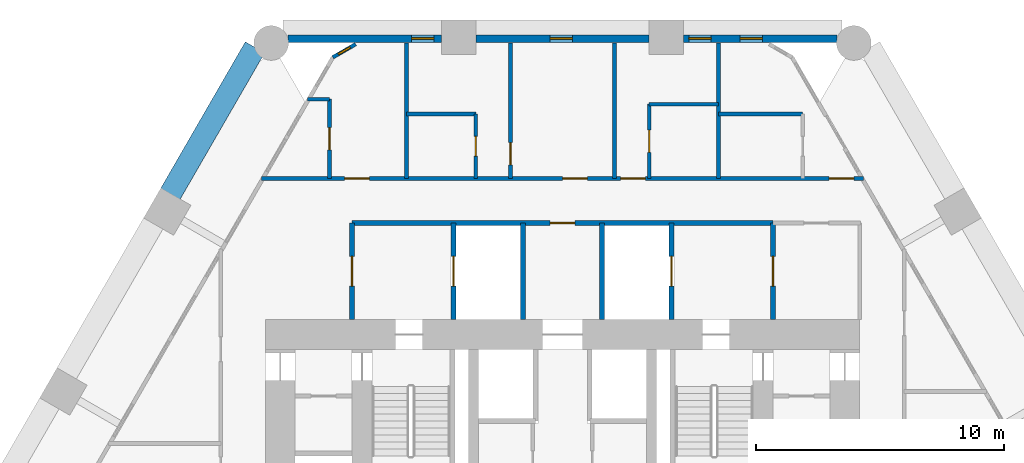
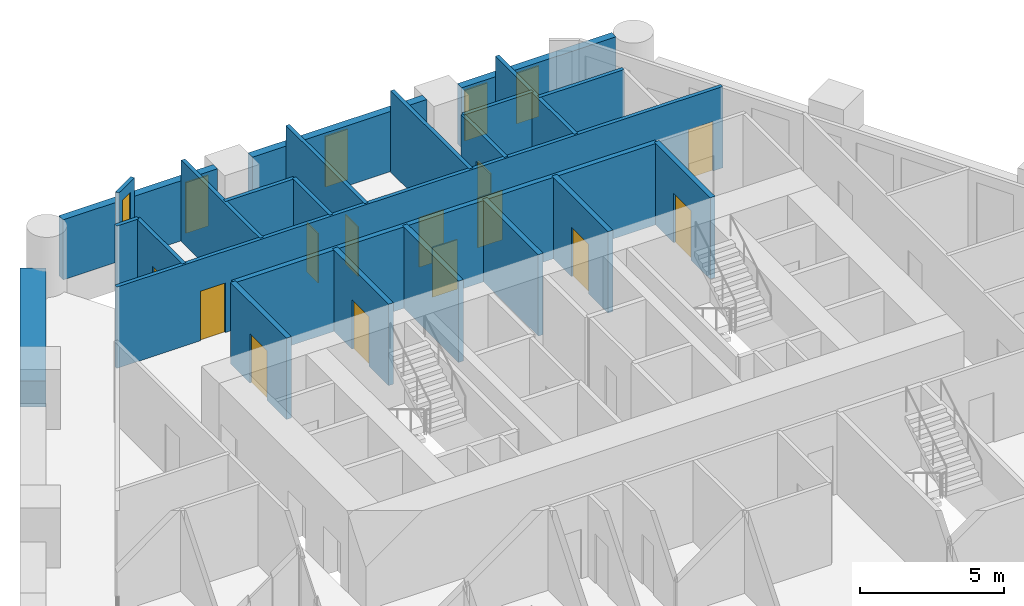
# One storey, part 6 of 8: 24 walls, 13 doors, 5 windows, 18 openings.
"""IFC4 building model written with IfcOpenShell, lengths in metres."""

from ifc_helpers import new_model, si_unit, direction, frame, frame_2d, origin, place, context, subcontext, project, spatial, rectangle, extrude, material, layer, layer_set, type_object, element, fill, save


model = new_model("IFC4")

# Units and contexts
model_context = context("Model", 3, precision=1e-05, world=origin(), true_north=direction((0.0, 1.0)))
body_context = subcontext(model_context, "Body", "Model", "MODEL_VIEW")
ifc_project = project(units=[si_unit("LENGTHUNIT", "METRE"), si_unit("AREAUNIT", "SQUARE_METRE"), si_unit("VOLUMEUNIT", "CUBIC_METRE"), si_unit("PLANEANGLEUNIT", "RADIAN"), si_unit("MASSUNIT", "GRAM", prefix="KILO")], contexts=[model_context])

# Site, building, storey
site_placement = place(None, origin())
site = spatial("IfcSite", under=ifc_project, at=site_placement, CompositionType="ELEMENT")
building_placement = place(site_placement, origin())
building = spatial("IfcBuilding", under=site, at=building_placement, Name="Ostrander Bayou Hotel Tower", CompositionType="ELEMENT")
storey_placement = place(building_placement, frame((0.0, 0.0, 39.25)))
storey = spatial("IfcBuildingStorey", under=building, at=storey_placement, Name="L09", CompositionType="ELEMENT", Elevation=39.25)

# Wall, opening, window
ifc_material_1 = material(Name="Aluminium framed insulated wall", Category="aluminium")
ifc_layer_1 = layer(ifc_material_1, 0.14990234375)
ifc_layer_set_1 = layer_set([ifc_layer_1], Name="GW1 glass-line wall 150 mm")
wall_type_1 = type_object("IfcWallType", Name="GW1 glass-line wall 150 mm", PredefinedType="SOLIDWALL", material=ifc_layer_set_1)
wall_1_placement = place(storey_placement, frame((-8.353759765625, 20.824951171875, 0.0), z_axis=(0.0, 0.0, 1.0), x_axis=(-0.865990848561, -0.500059846627, 0.0)))
wall_1 = element("IfcWall", 1, at=wall_1_placement, inside=storey, type_object=wall_type_1, Name="GW1 L09 corner 1", PredefinedType="SOLIDWALL", context=body_context, shape_type="SweptSolid", body=[
    extrude(rectangle(XDim=1.064697265625, YDim=0.14990234375, at=frame_2d((0.5322265625, 0.0))), origin(), (0.0, 0.0, 1.0), 3.449951171875),
])
opening_1_placement = place(wall_1_placement, frame((0.257568359375, 0.0, 0.14990234375)))
opening_1 = element("IfcOpeningElement", 2, at=opening_1_placement, cuts=wall_1, Name="Opening W19", PredefinedType="OPENING", context=body_context, shape_type="SweptSolid", body=[
    extrude(rectangle(XDim=0.550048828125, YDim=2.85009765625, at=frame_2d((0.27490234375, 1.425048828125))), frame((0.0, 0.074951171875, 0.0), z_axis=(0.0, -1.0, 0.0), x_axis=(1.0, 0.0, 0.0)), (0.0, 0.0, 1.0), 0.14990234375),
])
ifc_material_2 = material(Name="Aluminium and clear glass", Category="aluminium")
window_type_1 = type_object("IfcWindowType", Name="W19 corner window 550 mm", PartitioningType="SINGLE_PANEL", PredefinedType="WINDOW", material=ifc_material_2)
window_1_placement = place(opening_1_placement, origin())
window_1 = element("IfcWindow", 3, at=window_1_placement, inside=storey, type_object=window_type_1, Name="W19 L09 corner 1", OverallHeight=2.85009765625, OverallWidth=0.550048828125, PartitioningType="SINGLE_PANEL", PredefinedType="WINDOW", context=body_context, shape_type="SweptSolid", body=[
    extrude(rectangle(XDim=0.550048828125, YDim=2.85009765625, at=frame_2d((0.27490234375, 1.425048828125))), frame((0.0, 0.030029296875, 0.0), z_axis=(0.0, -1.0, 0.0), x_axis=(1.0, 0.0, 0.0)), (0.0, 0.0, 1.0), 0.06005859375),
])
fill(opening_1, window_1)

# Wall, openings, windows
ifc_material_3 = material(Name="Reconstituted stone on masonry backing", Category="masonry")
ifc_layer_2 = layer(ifc_material_3, 0.300048828125)
ifc_layer_set_2 = layer_set([ifc_layer_2], Name="NW1 north stone wall 300 mm")
wall_type_2 = type_object("IfcWallType", Name="NW1 north stone wall 300 mm", PredefinedType="SOLIDWALL", material=ifc_layer_set_2)
wall_2_placement = place(storey_placement, frame((11.093017578125, 21.050048828125, 0.0), z_axis=(0.0, 0.0, 1.0), x_axis=(-1.0, 0.0, 0.0)))
wall_2 = element("IfcWall", 4, at=wall_2_placement, inside=storey, type_object=wall_type_2, Name="NW1 L09 N-1", PredefinedType="SOLIDWALL", context=body_context, shape_type="SweptSolid", body=[
    extrude(rectangle(XDim=6.197509765625, YDim=0.300048828125, at=frame_2d((3.0986328125, 0.0))), origin(), (0.0, 0.0, 1.0), 2.550048828125),
])
opening_2_placement = place(wall_2_placement, frame((3.020263671875, 0.0, 0.14990234375)))
opening_2 = element("IfcOpeningElement", 5, at=opening_2_placement, cuts=wall_2, Name="Opening W15", PredefinedType="OPENING", context=body_context, shape_type="SweptSolid", body=[
    extrude(rectangle(XDim=0.89990234375, YDim=2.14990234375, at=frame_2d((0.449951171875, 1.074951171875))), frame((0.0, 0.14990234375, 0.0), z_axis=(0.0, -1.0, 0.0), x_axis=(1.0, 0.0, 0.0)), (0.0, 0.0, 1.0), 0.300048828125),
])
opening_3_placement = place(wall_2_placement, frame((5.093017578125, 0.0, 0.14990234375)))
opening_3 = element("IfcOpeningElement", 6, at=opening_3_placement, cuts=wall_2, Name="Opening W15", PredefinedType="OPENING", context=body_context, shape_type="SweptSolid", body=[
    extrude(rectangle(XDim=0.89990234375, YDim=2.14990234375, at=frame_2d((0.449951171875, 1.074951171875))), frame((0.0, 0.14990234375, 0.0), z_axis=(0.0, -1.0, 0.0), x_axis=(1.0, 0.0, 0.0)), (0.0, 0.0, 1.0), 0.300048828125),
])
ifc_material_4 = material(Name="Aluminium and clear glass", Category="aluminium")
window_type_2 = type_object("IfcWindowType", Name="W15 window 900 mm, zone 1", PartitioningType="SINGLE_PANEL", PredefinedType="WINDOW", material=ifc_material_4)
window_2_placement = place(opening_2_placement, origin())
window_2 = element("IfcWindow", 7, at=window_2_placement, inside=storey, type_object=window_type_2, Name="W15 L09 north N-1", OverallHeight=2.14990234375, OverallWidth=0.89990234375, PartitioningType="SINGLE_PANEL", PredefinedType="WINDOW", context=body_context, shape_type="SweptSolid", body=[
    extrude(rectangle(XDim=0.89990234375, YDim=2.14990234375, at=frame_2d((0.449951171875, 1.074951171875))), frame((0.0, 0.030029296875, 0.0), z_axis=(0.0, -1.0, 0.0), x_axis=(1.0, 0.0, 0.0)), (0.0, 0.0, 1.0), 0.06005859375),
])
fill(opening_2, window_2)
window_3_placement = place(opening_3_placement, origin())
window_3 = element("IfcWindow", 8, at=window_3_placement, inside=storey, type_object=window_type_2, Name="W15 L09 north N-1-2", OverallHeight=2.14990234375, OverallWidth=0.89990234375, PartitioningType="SINGLE_PANEL", PredefinedType="WINDOW", context=body_context, shape_type="SweptSolid", body=[
    extrude(rectangle(XDim=0.89990234375, YDim=2.14990234375, at=frame_2d((0.449951171875, 1.074951171875))), frame((0.0, 0.030029296875, 0.0), z_axis=(0.0, -1.0, 0.0), x_axis=(1.0, 0.0, 0.0)), (0.0, 0.0, 1.0), 0.06005859375),
])
fill(opening_3, window_3)

# Wall, opening, window
wall_3_placement = place(storey_placement, frame((3.495361328125, 21.050048828125, 0.0), z_axis=(0.0, 0.0, 1.0), x_axis=(-1.0, 0.0, 0.0)))
wall_3 = element("IfcWall", 9, at=wall_3_placement, inside=storey, type_object=wall_type_2, Name="NW1 L09 N-2", PredefinedType="SOLIDWALL", context=body_context, shape_type="SweptSolid", body=[
    extrude(rectangle(XDim=6.99072265625, YDim=0.300048828125, at=frame_2d((3.495361328125, 0.0))), origin(), (0.0, 0.0, 1.0), 2.550048828125),
])
opening_4_placement = place(wall_3_placement, frame((3.095458984375, 0.0, 0.14990234375)))
opening_4 = element("IfcOpeningElement", 10, at=opening_4_placement, cuts=wall_3, Name="Opening W15", PredefinedType="OPENING", context=body_context, shape_type="SweptSolid", body=[
    extrude(rectangle(XDim=0.89990234375, YDim=2.14990234375, at=frame_2d((0.449951171875, 1.074951171875))), frame((0.0, 0.14990234375, 0.0), z_axis=(0.0, -1.0, 0.0), x_axis=(1.0, 0.0, 0.0)), (0.0, 0.0, 1.0), 0.300048828125),
])
window_4_placement = place(opening_4_placement, origin())
window_4 = element("IfcWindow", 11, at=window_4_placement, inside=storey, type_object=window_type_2, Name="W15 L09 north N-2", OverallHeight=2.14990234375, OverallWidth=0.89990234375, PartitioningType="SINGLE_PANEL", PredefinedType="WINDOW", context=body_context, shape_type="SweptSolid", body=[
    extrude(rectangle(XDim=0.89990234375, YDim=2.14990234375, at=frame_2d((0.449951171875, 1.074951171875))), frame((0.0, 0.030029296875, 0.0), z_axis=(0.0, -1.0, 0.0), x_axis=(1.0, 0.0, 0.0)), (0.0, 0.0, 1.0), 0.06005859375),
])
fill(opening_4, window_4)

wall_4_placement = place(storey_placement, frame((-4.8955078125, 21.050048828125, 0.0), z_axis=(0.0, 0.0, 1.0), x_axis=(-1.0, 0.0, 0.0)))
wall_4 = element("IfcWall", 12, at=wall_4_placement, inside=storey, type_object=wall_type_2, Name="NW1 L09 N-3", PredefinedType="SOLIDWALL", context=body_context, shape_type="SweptSolid", body=[
    extrude(rectangle(XDim=6.197509765625, YDim=0.300048828125, at=frame_2d((3.0986328125, 0.0))), origin(), (0.0, 0.0, 1.0), 2.550048828125),
])
opening_5_placement = place(wall_4_placement, frame((0.300048828125, 0.0, 0.14990234375)))
opening_5 = element("IfcOpeningElement", 13, at=opening_5_placement, cuts=wall_4, Name="Opening W15", PredefinedType="OPENING", context=body_context, shape_type="SweptSolid", body=[
    extrude(rectangle(XDim=0.89990234375, YDim=2.14990234375, at=frame_2d((0.449951171875, 1.074951171875))), frame((0.0, 0.14990234375, 0.0), z_axis=(0.0, -1.0, 0.0), x_axis=(1.0, 0.0, 0.0)), (0.0, 0.0, 1.0), 0.300048828125),
])
window_5_placement = place(opening_5_placement, origin())
window_5 = element("IfcWindow", 14, at=window_5_placement, inside=storey, type_object=window_type_2, Name="W15 L09 north N-3", OverallHeight=2.14990234375, OverallWidth=0.89990234375, PartitioningType="SINGLE_PANEL", PredefinedType="WINDOW", context=body_context, shape_type="SweptSolid", body=[
    extrude(rectangle(XDim=0.89990234375, YDim=2.14990234375, at=frame_2d((0.449951171875, 1.074951171875))), frame((0.0, 0.030029296875, 0.0), z_axis=(0.0, -1.0, 0.0), x_axis=(1.0, 0.0, 0.0)), (0.0, 0.0, 1.0), 0.06005859375),
])
fill(opening_5, window_5)

# Wall
ifc_material_5 = material(Name="Concrete f'c 40 MPa", Category="concrete")
ifc_layer_3 = layer(ifc_material_5, 0.89990234375)
ifc_layer_set_3 = layer_set([ifc_layer_3], Name="PA1 stone-faced parapet 900 mm")
wall_type_3 = type_object("IfcWallType", Name="PA1 stone-faced parapet 900 mm", PredefinedType="PARAPET", material=ifc_layer_set_3)
wall_5_placement = place(storey_placement, frame((-12.421630859375, 20.694091796875, 0.0), z_axis=(0.0, 0.0, 1.0), x_axis=(-0.499994135611, -0.866028789565, 0.0)))
element("IfcWall", 15, at=wall_5_placement, inside=storey, type_object=wall_type_3, Name="PA1 L09 NW-1", PredefinedType="PARAPET", context=body_context, shape_type="SweptSolid", body=[
    extrude(rectangle(XDim=6.84521484375, YDim=0.89990234375, at=frame_2d((3.422607421875, 0.0))), origin(), (0.0, 0.0, 1.0), 1.10009765625),
])

# Wall, opening, door
ifc_material_6 = material(Name="Masonry block", Category="masonry")
ifc_layer_4 = layer(ifc_material_6, 0.199951171875)
ifc_layer_set_4 = layer_set([ifc_layer_4], Name="PT5 stair enclosure wall 200 mm masonry, 2 hour")
wall_type_4 = type_object("IfcWallType", Name="PT5 stair enclosure wall 200 mm masonry, 2 hour", PredefinedType="PARTITIONING", material=ifc_layer_set_4)
wall_6_placement = place(storey_placement, frame((-8.5, 13.60009765625, 0.0), z_axis=(0.0, 0.0, 1.0), x_axis=(1.0, 0.0, 0.0)))
wall_6 = element("IfcWall", 16, at=wall_6_placement, inside=storey, type_object=wall_type_4, Name="cs:L09:027", PredefinedType="PARTITIONING", context=body_context, shape_type="SweptSolid", body=[
    extrude(rectangle(XDim=17.0, YDim=0.199951171875, at=frame_2d((8.5, 0.0))), origin(), (0.0, 0.0, 1.0), 3.449951171875),
])
opening_6_placement = place(wall_6_placement, frame((8.0, 0.0, 0.0)))
opening_6 = element("IfcOpeningElement", 17, at=opening_6_placement, cuts=wall_6, Name="Opening T09-013", PredefinedType="OPENING", context=body_context, shape_type="SweptSolid", body=[
    extrude(rectangle(XDim=1.0, YDim=2.10009765625, at=frame_2d((0.5, 1.050048828125))), frame((0.0, 0.10009765625, 0.0), z_axis=(0.0, -1.0, 0.0), x_axis=(1.0, 0.0, 0.0)), (0.0, 0.0, 1.0), 0.199951171875),
])
ifc_material_7 = material(Name="Timber door leaf", Category="wood")
door_type_1 = type_object("IfcDoorType", Name="D9 service door 1000 x 2100 mm, 30 minute", OperationType="SINGLE_SWING_LEFT", PredefinedType="DOOR", material=ifc_material_7)
door_1_placement = place(opening_6_placement, origin())
door_1 = element("IfcDoor", 18, at=door_1_placement, inside=storey, type_object=door_type_1, Name="dr:L09:013", OperationType="SINGLE_SWING_LEFT", OverallHeight=2.10009765625, OverallWidth=1.0, PredefinedType="DOOR", context=body_context, shape_type="SweptSolid", body=[
    extrude(rectangle(XDim=1.0, YDim=2.10009765625, at=frame_2d((0.5, 1.050048828125))), frame((0.0, 0.02490234375, 0.0), z_axis=(0.0, -1.0, 0.0), x_axis=(1.0, 0.0, 0.0)), (0.0, 0.0, 1.0), 0.050048828125),
])
fill(opening_6, door_1)

wall_7_placement = place(storey_placement, frame((-8.5, 9.699951171875, 0.0), z_axis=(0.0, 0.0, 1.0), x_axis=(0.0, 1.0, 0.0)))
wall_7 = element("IfcWall", 19, at=wall_7_placement, inside=storey, type_object=wall_type_4, Name="cs:L09:028", PredefinedType="PARTITIONING", context=body_context, shape_type="SweptSolid", body=[
    extrude(rectangle(XDim=3.900146484375, YDim=0.199951171875, at=frame_2d((1.9501953125, 0.0))), origin(), (0.0, 0.0, 1.0), 3.449951171875),
])
opening_7_placement = place(wall_7_placement, frame((1.35009765625, 0.0, 0.0)))
opening_7 = element("IfcOpeningElement", 20, at=opening_7_placement, cuts=wall_7, Name="Opening T09-010", PredefinedType="OPENING", context=body_context, shape_type="SweptSolid", body=[
    extrude(rectangle(XDim=1.199951171875, YDim=2.10009765625, at=frame_2d((0.60009765625, 1.050048828125))), frame((0.0, 0.10009765625, 0.0), z_axis=(0.0, -1.0, 0.0), x_axis=(1.0, 0.0, 0.0)), (0.0, 0.0, 1.0), 0.199951171875),
])
ifc_material_8 = material(Name="Timber door leaf", Category="wood")
door_type_2 = type_object("IfcDoorType", Name="D7 lobby door 1200 x 2100 mm, 1 hour", OperationType="SINGLE_SWING_LEFT", PredefinedType="DOOR", material=ifc_material_8)
door_2_placement = place(opening_7_placement, origin())
door_2 = element("IfcDoor", 21, at=door_2_placement, inside=storey, type_object=door_type_2, Name="dr:L09:010", OperationType="SINGLE_SWING_LEFT", OverallHeight=2.10009765625, OverallWidth=1.199951171875, PredefinedType="DOOR", context=body_context, shape_type="SweptSolid", body=[
    extrude(rectangle(XDim=1.199951171875, YDim=2.10009765625, at=frame_2d((0.60009765625, 1.050048828125))), frame((0.0, 0.02490234375, 0.0), z_axis=(0.0, -1.0, 0.0), x_axis=(1.0, 0.0, 0.0)), (0.0, 0.0, 1.0), 0.050048828125),
])
fill(opening_7, door_2)

wall_8_placement = place(storey_placement, frame((8.5, 9.699951171875, 0.0), z_axis=(0.0, 0.0, 1.0), x_axis=(0.0, 1.0, 0.0)))
wall_8 = element("IfcWall", 22, at=wall_8_placement, inside=storey, type_object=wall_type_4, Name="cs:L09:029", PredefinedType="PARTITIONING", context=body_context, shape_type="SweptSolid", body=[
    extrude(rectangle(XDim=3.900146484375, YDim=0.199951171875, at=frame_2d((1.9501953125, 0.0))), origin(), (0.0, 0.0, 1.0), 3.449951171875),
])
opening_8_placement = place(wall_8_placement, frame((1.35009765625, 0.0, 0.0)))
opening_8 = element("IfcOpeningElement", 23, at=opening_8_placement, cuts=wall_8, Name="Opening T09-012", PredefinedType="OPENING", context=body_context, shape_type="SweptSolid", body=[
    extrude(rectangle(XDim=1.199951171875, YDim=2.10009765625, at=frame_2d((0.60009765625, 1.050048828125))), frame((0.0, 0.10009765625, 0.0), z_axis=(0.0, -1.0, 0.0), x_axis=(1.0, 0.0, 0.0)), (0.0, 0.0, 1.0), 0.199951171875),
])
door_3_placement = place(opening_8_placement, origin())
door_3 = element("IfcDoor", 24, at=door_3_placement, inside=storey, type_object=door_type_2, Name="dr:L09:012", OperationType="SINGLE_SWING_LEFT", OverallHeight=2.10009765625, OverallWidth=1.199951171875, PredefinedType="DOOR", context=body_context, shape_type="SweptSolid", body=[
    extrude(rectangle(XDim=1.199951171875, YDim=2.10009765625, at=frame_2d((0.60009765625, 1.050048828125))), frame((0.0, 0.02490234375, 0.0), z_axis=(0.0, -1.0, 0.0), x_axis=(1.0, 0.0, 0.0)), (0.0, 0.0, 1.0), 0.050048828125),
])
fill(opening_8, door_3)

wall_9_placement = place(storey_placement, frame((-4.39990234375, 9.699951171875, 0.0), z_axis=(0.0, 0.0, 1.0), x_axis=(0.0, 1.0, 0.0)))
wall_9 = element("IfcWall", 25, at=wall_9_placement, inside=storey, type_object=wall_type_4, Name="cs:L09:030", PredefinedType="PARTITIONING", context=body_context, shape_type="SweptSolid", body=[
    extrude(rectangle(XDim=3.900146484375, YDim=0.199951171875, at=frame_2d((1.9501953125, 0.0))), origin(), (0.0, 0.0, 1.0), 3.449951171875),
])
opening_9_placement = place(wall_9_placement, frame((1.35009765625, 0.0, 0.0)))
opening_9 = element("IfcOpeningElement", 26, at=opening_9_placement, cuts=wall_9, Name="Opening T09-009", PredefinedType="OPENING", context=body_context, shape_type="SweptSolid", body=[
    extrude(rectangle(XDim=1.199951171875, YDim=2.10009765625, at=frame_2d((0.60009765625, 1.050048828125))), frame((0.0, 0.10009765625, 0.0), z_axis=(0.0, -1.0, 0.0), x_axis=(1.0, 0.0, 0.0)), (0.0, 0.0, 1.0), 0.199951171875),
])
ifc_material_9 = material(Name="Stainless steel sliding door", Category="steel")
door_type_3 = type_object("IfcDoorType", Name="LD1 lift landing door 1200 x 2100 mm", OperationType="SINGLE_SWING_LEFT", PredefinedType="DOOR", material=ifc_material_9)
door_4_placement = place(opening_9_placement, origin())
door_4 = element("IfcDoor", 27, at=door_4_placement, inside=storey, type_object=door_type_3, Name="dr:L09:009", OperationType="SLIDING_TO_LEFT", OverallHeight=2.10009765625, OverallWidth=1.199951171875, PredefinedType="DOOR", context=body_context, shape_type="SweptSolid", body=[
    extrude(rectangle(XDim=1.199951171875, YDim=2.10009765625, at=frame_2d((0.60009765625, 1.050048828125))), frame((0.0, 0.02490234375, 0.0), z_axis=(0.0, -1.0, 0.0), x_axis=(1.0, 0.0, 0.0)), (0.0, 0.0, 1.0), 0.050048828125),
])
fill(opening_9, door_4)

wall_10_placement = place(storey_placement, frame((4.39990234375, 9.699951171875, 0.0), z_axis=(0.0, 0.0, 1.0), x_axis=(0.0, 1.0, 0.0)))
wall_10 = element("IfcWall", 28, at=wall_10_placement, inside=storey, type_object=wall_type_4, Name="cs:L09:031", PredefinedType="PARTITIONING", context=body_context, shape_type="SweptSolid", body=[
    extrude(rectangle(XDim=3.900146484375, YDim=0.199951171875, at=frame_2d((1.9501953125, 0.0))), origin(), (0.0, 0.0, 1.0), 3.449951171875),
])
opening_10_placement = place(wall_10_placement, frame((1.35009765625, 0.0, 0.0)))
opening_10 = element("IfcOpeningElement", 29, at=opening_10_placement, cuts=wall_10, Name="Opening T09-011", PredefinedType="OPENING", context=body_context, shape_type="SweptSolid", body=[
    extrude(rectangle(XDim=1.199951171875, YDim=2.10009765625, at=frame_2d((0.60009765625, 1.050048828125))), frame((0.0, 0.10009765625, 0.0), z_axis=(0.0, -1.0, 0.0), x_axis=(1.0, 0.0, 0.0)), (0.0, 0.0, 1.0), 0.199951171875),
])
door_5_placement = place(opening_10_placement, origin())
door_5 = element("IfcDoor", 30, at=door_5_placement, inside=storey, type_object=door_type_3, Name="dr:L09:011", OperationType="SLIDING_TO_LEFT", OverallHeight=2.10009765625, OverallWidth=1.199951171875, PredefinedType="DOOR", context=body_context, shape_type="SweptSolid", body=[
    extrude(rectangle(XDim=1.199951171875, YDim=2.10009765625, at=frame_2d((0.60009765625, 1.050048828125))), frame((0.0, 0.02490234375, 0.0), z_axis=(0.0, -1.0, 0.0), x_axis=(1.0, 0.0, 0.0)), (0.0, 0.0, 1.0), 0.050048828125),
])
fill(opening_10, door_5)

# Walls
ifc_material_10 = material(Name="Masonry block", Category="masonry")
ifc_layer_5 = layer(ifc_material_10, 0.199951171875)
ifc_layer_set_5 = layer_set([ifc_layer_5], Name="PT6 lift shaft wall 200 mm masonry, 2 hour")
wall_type_5 = type_object("IfcWallType", Name="PT6 lift shaft wall 200 mm masonry, 2 hour", PredefinedType="PARTITIONING", material=ifc_layer_set_5)
for number, where, z_axis, x_axis, name in (
    (31, (-1.60009765625, 9.699951171875, 0.0), (0.0, 0.0, 1.0), (0.0, 1.0, 0.0), "cs:L09:032"),
    (32, (1.60009765625, 9.699951171875, 0.0), (0.0, 0.0, 1.0), (0.0, 1.0, 0.0), "cs:L09:033"),
):
    element("IfcWall", number, at=place(storey_placement, frame(where, z_axis=z_axis, x_axis=x_axis)), inside=storey, type_object=wall_type_5, Name=name, PredefinedType="PARTITIONING", context=body_context, shape_type="SweptSolid", body=[
        extrude(rectangle(XDim=3.900146484375, YDim=0.199951171875, at=frame_2d((1.9501953125, 0.0))), origin(), (0.0, 0.0, 1.0), 3.449951171875),
    ])

# Wall, openings, doors
ifc_material_11 = material(Name="Gypsum board partition", Category="finish")
ifc_layer_6 = layer(ifc_material_11, 0.14990234375)
ifc_layer_set_6 = layer_set([ifc_layer_6], Name="PT8 service band wall 150 mm, 1 hour")
wall_type_6 = type_object("IfcWallType", Name="PT8 service band wall 150 mm, 1 hour", PredefinedType="PARTITIONING", material=ifc_layer_set_6)
wall_11_placement = place(storey_placement, frame((-12.153076171875, 15.39990234375, 0.0), z_axis=(0.0, 0.0, 1.0), x_axis=(1.0, 0.0, 0.0)))
wall_11 = element("IfcWall", 33, at=wall_11_placement, inside=storey, type_object=wall_type_6, Name="gw:L09:013", PredefinedType="PARTITIONING", context=body_context, shape_type="SweptSolid", body=[
    extrude(rectangle(XDim=24.30615234375, YDim=0.14990234375, at=frame_2d((12.153076171875, 0.0))), origin(), (0.0, 0.0, 1.0), 3.449951171875),
])
opening_11_placement = place(wall_11_placement, frame((3.35302734375, 0.0, 0.0)))
opening_11 = element("IfcOpeningElement", 34, at=opening_11_placement, cuts=wall_11, Name="Opening T09-416", PredefinedType="OPENING", context=body_context, shape_type="SweptSolid", body=[
    extrude(rectangle(XDim=1.0, YDim=2.10009765625, at=frame_2d((0.5, 1.050048828125))), frame((0.0, 0.074951171875, 0.0), z_axis=(0.0, -1.0, 0.0), x_axis=(1.0, 0.0, 0.0)), (0.0, 0.0, 1.0), 0.14990234375),
])
opening_12_placement = place(wall_11_placement, frame((12.153076171875, 0.0, 0.0)))
opening_12 = element("IfcOpeningElement", 35, at=opening_12_placement, cuts=wall_11, Name="Opening T09-418", PredefinedType="OPENING", context=body_context, shape_type="SweptSolid", body=[
    extrude(rectangle(XDim=1.0, YDim=2.10009765625, at=frame_2d((0.5, 1.050048828125))), frame((0.0, 0.074951171875, 0.0), z_axis=(0.0, -1.0, 0.0), x_axis=(1.0, 0.0, 0.0)), (0.0, 0.0, 1.0), 0.14990234375),
])
opening_13_placement = place(wall_11_placement, frame((14.5029296875, 0.0, 0.0)))
opening_13 = element("IfcOpeningElement", 36, at=opening_13_placement, cuts=wall_11, Name="Opening T09-421", PredefinedType="OPENING", context=body_context, shape_type="SweptSolid", body=[
    extrude(rectangle(XDim=1.0, YDim=2.10009765625, at=frame_2d((0.5, 1.050048828125))), frame((0.0, 0.074951171875, 0.0), z_axis=(0.0, -1.0, 0.0), x_axis=(1.0, 0.0, 0.0)), (0.0, 0.0, 1.0), 0.14990234375),
])
opening_14_placement = place(wall_11_placement, frame((22.91796875, 0.0, 0.0)))
opening_14 = element("IfcOpeningElement", 37, at=opening_14_placement, cuts=wall_11, Name="Opening T09-423", PredefinedType="OPENING", context=body_context, shape_type="SweptSolid", body=[
    extrude(rectangle(XDim=1.0, YDim=2.10009765625, at=frame_2d((0.5, 1.050048828125))), frame((0.0, 0.074951171875, 0.0), z_axis=(0.0, -1.0, 0.0), x_axis=(1.0, 0.0, 0.0)), (0.0, 0.0, 1.0), 0.14990234375),
])
ifc_material_12 = material(Name="Timber door leaf", Category="wood")
door_type_4 = type_object("IfcDoorType", Name="D1 guest room door 1000 x 2100 mm, 30 minute", OperationType="SINGLE_SWING_LEFT", PredefinedType="DOOR", material=ifc_material_12)
door_6_placement = place(opening_12_placement, origin())
door_6 = element("IfcDoor", 38, at=door_6_placement, inside=storey, type_object=door_type_4, Name="dr:L09:418", OperationType="SINGLE_SWING_RIGHT", OverallHeight=2.10009765625, OverallWidth=1.0, PredefinedType="DOOR", context=body_context, shape_type="SweptSolid", body=[
    extrude(rectangle(XDim=1.0, YDim=2.10009765625, at=frame_2d((0.5, 1.050048828125))), frame((0.0, 0.02490234375, 0.0), z_axis=(0.0, -1.0, 0.0), x_axis=(1.0, 0.0, 0.0)), (0.0, 0.0, 1.0), 0.050048828125),
])
fill(opening_12, door_6)
door_7_placement = place(opening_13_placement, origin())
door_7 = element("IfcDoor", 39, at=door_7_placement, inside=storey, type_object=door_type_4, Name="dr:L09:421", OperationType="SINGLE_SWING_LEFT", OverallHeight=2.10009765625, OverallWidth=1.0, PredefinedType="DOOR", context=body_context, shape_type="SweptSolid", body=[
    extrude(rectangle(XDim=1.0, YDim=2.10009765625, at=frame_2d((0.5, 1.050048828125))), frame((0.0, 0.02490234375, 0.0), z_axis=(0.0, -1.0, 0.0), x_axis=(1.0, 0.0, 0.0)), (0.0, 0.0, 1.0), 0.050048828125),
])
fill(opening_13, door_7)
door_8_placement = place(opening_14_placement, origin())
door_8 = element("IfcDoor", 40, at=door_8_placement, inside=storey, type_object=door_type_4, Name="dr:L09:423", OperationType="SINGLE_SWING_RIGHT", OverallHeight=2.10009765625, OverallWidth=1.0, PredefinedType="DOOR", context=body_context, shape_type="SweptSolid", body=[
    extrude(rectangle(XDim=1.0, YDim=2.10009765625, at=frame_2d((0.5, 1.050048828125))), frame((0.0, 0.02490234375, 0.0), z_axis=(0.0, -1.0, 0.0), x_axis=(1.0, 0.0, 0.0)), (0.0, 0.0, 1.0), 0.050048828125),
])
fill(opening_14, door_8)
ifc_material_13 = material(Name="Timber door leaf", Category="wood")
door_type_5 = type_object("IfcDoorType", Name="D15 room door 1000 x 2100 mm", OperationType="SINGLE_SWING_LEFT", PredefinedType="DOOR", material=ifc_material_13)
door_9_placement = place(opening_11_placement, origin())
door_9 = element("IfcDoor", 41, at=door_9_placement, inside=storey, type_object=door_type_5, Name="dr:L09:416", OperationType="SINGLE_SWING_RIGHT", OverallHeight=2.10009765625, OverallWidth=1.0, PredefinedType="DOOR", context=body_context, shape_type="SweptSolid", body=[
    extrude(rectangle(XDim=1.0, YDim=2.10009765625, at=frame_2d((0.5, 1.050048828125))), frame((0.0, 0.02490234375, 0.0), z_axis=(0.0, -1.0, 0.0), x_axis=(1.0, 0.0, 0.0)), (0.0, 0.0, 1.0), 0.050048828125),
])
fill(opening_11, door_9)

# Walls
wall_12_placement = place(storey_placement, frame((-6.300048828125, 18.0, 0.0), z_axis=(0.0, 0.0, 1.0), x_axis=(1.0, 0.0, 0.0)))
element("IfcWall", 42, at=wall_12_placement, inside=storey, type_object=wall_type_6, Name="gw:L09:014", PredefinedType="PARTITIONING", context=body_context, shape_type="SweptSolid", body=[
    extrude(rectangle(XDim=2.800048828125, YDim=0.14990234375, at=frame_2d((1.39990234375, 0.0))), origin(), (0.0, 0.0, 1.0), 3.449951171875),
])
wall_13_placement = place(storey_placement, frame((6.300048828125, 18.0, 0.0), z_axis=(0.0, 0.0, 1.0), x_axis=(1.0, 0.0, 0.0)))
element("IfcWall", 43, at=wall_13_placement, inside=storey, type_object=wall_type_6, Name="gw:L09:015", PredefinedType="PARTITIONING", context=body_context, shape_type="SweptSolid", body=[
    extrude(rectangle(XDim=3.39990234375, YDim=0.14990234375, at=frame_2d((1.699951171875, 0.0))), origin(), (0.0, 0.0, 1.0), 3.449951171875),
])
wall_14_placement = place(storey_placement, frame((3.5, 18.39990234375, 0.0), z_axis=(0.0, 0.0, 1.0), x_axis=(1.0, 0.0, 0.0)))
element("IfcWall", 44, at=wall_14_placement, inside=storey, type_object=wall_type_6, Name="gw:L09:016", PredefinedType="PARTITIONING", context=body_context, shape_type="SweptSolid", body=[
    extrude(rectangle(XDim=2.800048828125, YDim=0.14990234375, at=frame_2d((1.39990234375, 0.0))), origin(), (0.0, 0.0, 1.0), 3.449951171875),
])
wall_15_placement = place(storey_placement, frame((-10.304931640625, 18.60009765625, 0.0), z_axis=(0.0, 0.0, 1.0), x_axis=(1.0, 0.0, 0.0)))
element("IfcWall", 45, at=wall_15_placement, inside=storey, type_object=wall_type_6, Name="gw:L09:017", PredefinedType="PARTITIONING", context=body_context, shape_type="SweptSolid", body=[
    extrude(rectangle(XDim=0.889892578125, YDim=0.14990234375, at=frame_2d((0.44482421875, 0.0))), origin(), (0.0, 0.0, 1.0), 3.449951171875),
])
wall_16_placement = place(storey_placement, frame((6.300048828125, 15.39990234375, 0.0), z_axis=(0.0, 0.0, 1.0), x_axis=(0.0, 1.0, 0.0)))
element("IfcWall", 46, at=wall_16_placement, inside=storey, type_object=wall_type_6, Name="gw:L09:023", PredefinedType="PARTITIONING", context=body_context, shape_type="SweptSolid", body=[
    extrude(rectangle(XDim=5.47021484375, YDim=0.14990234375, at=frame_2d((2.735107421875, 0.0))), origin(), (0.0, 0.0, 1.0), 3.449951171875),
])

# Wall, opening, door
wall_17_placement = place(storey_placement, frame((3.5, 15.39990234375, 0.0), z_axis=(0.0, 0.0, 1.0), x_axis=(0.0, 1.0, 0.0)))
wall_17 = element("IfcWall", 47, at=wall_17_placement, inside=storey, type_object=wall_type_6, Name="gw:L09:025", PredefinedType="PARTITIONING", context=body_context, shape_type="SweptSolid", body=[
    extrude(rectangle(XDim=3.0, YDim=0.14990234375, at=frame_2d((1.5, 0.0))), origin(), (0.0, 0.0, 1.0), 3.449951171875),
])
opening_15_placement = place(wall_17_placement, frame((1.050048828125, 0.0, 0.0)))
opening_15 = element("IfcOpeningElement", 48, at=opening_15_placement, cuts=wall_17, Name="Opening T09-422", PredefinedType="OPENING", context=body_context, shape_type="SweptSolid", body=[
    extrude(rectangle(XDim=0.89990234375, YDim=2.10009765625, at=frame_2d((0.449951171875, 1.050048828125))), frame((0.0, 0.074951171875, 0.0), z_axis=(0.0, -1.0, 0.0), x_axis=(1.0, 0.0, 0.0)), (0.0, 0.0, 1.0), 0.14990234375),
])
ifc_material_14 = material(Name="Timber door leaf", Category="wood")
door_type_6 = type_object("IfcDoorType", Name="D14 bathroom door 900 x 2100 mm", OperationType="SINGLE_SWING_LEFT", PredefinedType="DOOR", material=ifc_material_14)
door_10_placement = place(opening_15_placement, origin())
door_10 = element("IfcDoor", 49, at=door_10_placement, inside=storey, type_object=door_type_6, Name="dr:L09:422", OperationType="SINGLE_SWING_LEFT", OverallHeight=2.10009765625, OverallWidth=0.89990234375, PredefinedType="DOOR", context=body_context, shape_type="SweptSolid", body=[
    extrude(rectangle(XDim=0.89990234375, YDim=2.10009765625, at=frame_2d((0.449951171875, 1.050048828125))), frame((0.0, 0.02490234375, 0.0), z_axis=(0.0, -1.0, 0.0), x_axis=(1.0, 0.0, 0.0)), (0.0, 0.0, 1.0), 0.050048828125),
])
fill(opening_15, door_10)

# Wall
wall_18_placement = place(storey_placement, frame((2.10009765625, 15.39990234375, 0.0), z_axis=(0.0, 0.0, 1.0), x_axis=(0.0, 1.0, 0.0)))
element("IfcWall", 50, at=wall_18_placement, inside=storey, type_object=wall_type_6, Name="gw:L09:027", PredefinedType="PARTITIONING", context=body_context, shape_type="SweptSolid", body=[
    extrude(rectangle(XDim=5.47021484375, YDim=0.14990234375, at=frame_2d((2.735107421875, 0.0))), origin(), (0.0, 0.0, 1.0), 3.449951171875),
])

# Wall, opening, door
wall_19_placement = place(storey_placement, frame((-2.10009765625, 15.39990234375, 0.0), z_axis=(0.0, 0.0, 1.0), x_axis=(0.0, 1.0, 0.0)))
wall_19 = element("IfcWall", 51, at=wall_19_placement, inside=storey, type_object=wall_type_6, Name="gw:L09:029", PredefinedType="PARTITIONING", context=body_context, shape_type="SweptSolid", body=[
    extrude(rectangle(XDim=5.47021484375, YDim=0.14990234375, at=frame_2d((2.735107421875, 0.0))), origin(), (0.0, 0.0, 1.0), 3.449951171875),
])
opening_16_placement = place(wall_19_placement, frame((0.550048828125, 0.0, 0.0)))
opening_16 = element("IfcOpeningElement", 52, at=opening_16_placement, cuts=wall_19, Name="Opening T09-419", PredefinedType="OPENING", context=body_context, shape_type="SweptSolid", body=[
    extrude(rectangle(XDim=0.89990234375, YDim=2.10009765625, at=frame_2d((0.449951171875, 1.050048828125))), frame((0.0, 0.074951171875, 0.0), z_axis=(0.0, -1.0, 0.0), x_axis=(1.0, 0.0, 0.0)), (0.0, 0.0, 1.0), 0.14990234375),
])
ifc_material_15 = material(Name="Timber door leaf", Category="wood")
door_type_7 = type_object("IfcDoorType", Name="D8 room door 900 x 2100 mm", OperationType="SINGLE_SWING_LEFT", PredefinedType="DOOR", material=ifc_material_15)
door_11_placement = place(opening_16_placement, origin())
door_11 = element("IfcDoor", 53, at=door_11_placement, inside=storey, type_object=door_type_7, Name="dr:L09:419", OperationType="SINGLE_SWING_LEFT", OverallHeight=2.10009765625, OverallWidth=0.89990234375, PredefinedType="DOOR", context=body_context, shape_type="SweptSolid", body=[
    extrude(rectangle(XDim=0.89990234375, YDim=2.10009765625, at=frame_2d((0.449951171875, 1.050048828125))), frame((0.0, 0.02490234375, 0.0), z_axis=(0.0, -1.0, 0.0), x_axis=(1.0, 0.0, 0.0)), (0.0, 0.0, 1.0), 0.050048828125),
])
fill(opening_16, door_11)

wall_20_placement = place(storey_placement, frame((-3.5, 15.39990234375, 0.0), z_axis=(0.0, 0.0, 1.0), x_axis=(0.0, 1.0, 0.0)))
wall_20 = element("IfcWall", 54, at=wall_20_placement, inside=storey, type_object=wall_type_6, Name="gw:L09:031", PredefinedType="PARTITIONING", context=body_context, shape_type="SweptSolid", body=[
    extrude(rectangle(XDim=2.60009765625, YDim=0.14990234375, at=frame_2d((1.300048828125, 0.0))), origin(), (0.0, 0.0, 1.0), 3.449951171875),
])
opening_17_placement = place(wall_20_placement, frame((0.89990234375, 0.0, 0.0)))
opening_17 = element("IfcOpeningElement", 55, at=opening_17_placement, cuts=wall_20, Name="Opening T09-420", PredefinedType="OPENING", context=body_context, shape_type="SweptSolid", body=[
    extrude(rectangle(XDim=0.800048828125, YDim=2.10009765625, at=frame_2d((0.39990234375, 1.050048828125))), frame((0.0, 0.074951171875, 0.0), z_axis=(0.0, -1.0, 0.0), x_axis=(1.0, 0.0, 0.0)), (0.0, 0.0, 1.0), 0.14990234375),
])
ifc_material_16 = material(Name="Timber door leaf", Category="wood")
door_type_8 = type_object("IfcDoorType", Name="D2 bathroom door 800 x 2100 mm", OperationType="SINGLE_SWING_LEFT", PredefinedType="DOOR", material=ifc_material_16)
door_12_placement = place(opening_17_placement, origin())
door_12 = element("IfcDoor", 56, at=door_12_placement, inside=storey, type_object=door_type_8, Name="dr:L09:420", OperationType="SINGLE_SWING_LEFT", OverallHeight=2.10009765625, OverallWidth=0.800048828125, PredefinedType="DOOR", context=body_context, shape_type="SweptSolid", body=[
    extrude(rectangle(XDim=0.800048828125, YDim=2.10009765625, at=frame_2d((0.39990234375, 1.050048828125))), frame((0.0, 0.02490234375, 0.0), z_axis=(0.0, -1.0, 0.0), x_axis=(1.0, 0.0, 0.0)), (0.0, 0.0, 1.0), 0.050048828125),
])
fill(opening_17, door_12)

# Wall
wall_21_placement = place(storey_placement, frame((-6.300048828125, 15.39990234375, 0.0), z_axis=(0.0, 0.0, 1.0), x_axis=(0.0, 1.0, 0.0)))
element("IfcWall", 57, at=wall_21_placement, inside=storey, type_object=wall_type_6, Name="gw:L09:033", PredefinedType="PARTITIONING", context=body_context, shape_type="SweptSolid", body=[
    extrude(rectangle(XDim=5.47021484375, YDim=0.14990234375, at=frame_2d((2.735107421875, 0.0))), origin(), (0.0, 0.0, 1.0), 3.449951171875),
])

# Wall, opening, door
wall_22_placement = place(storey_placement, frame((-9.4150390625, 15.39990234375, 0.0), z_axis=(0.0, 0.0, 1.0), x_axis=(0.0, 1.0, 0.0)))
wall_22 = element("IfcWall", 58, at=wall_22_placement, inside=storey, type_object=wall_type_6, Name="gw:L09:035", PredefinedType="PARTITIONING", context=body_context, shape_type="SweptSolid", body=[
    extrude(rectangle(XDim=3.2001953125, YDim=0.14990234375, at=frame_2d((1.60009765625, 0.0))), origin(), (0.0, 0.0, 1.0), 3.449951171875),
])
opening_18_placement = place(wall_22_placement, frame((1.14990234375, 0.0, 0.0)))
opening_18 = element("IfcOpeningElement", 59, at=opening_18_placement, cuts=wall_22, Name="Opening T09-417", PredefinedType="OPENING", context=body_context, shape_type="SweptSolid", body=[
    extrude(rectangle(XDim=0.89990234375, YDim=2.10009765625, at=frame_2d((0.449951171875, 1.050048828125))), frame((0.0, 0.074951171875, 0.0), z_axis=(0.0, -1.0, 0.0), x_axis=(1.0, 0.0, 0.0)), (0.0, 0.0, 1.0), 0.14990234375),
])
door_13_placement = place(opening_18_placement, origin())
door_13 = element("IfcDoor", 60, at=door_13_placement, inside=storey, type_object=door_type_7, Name="dr:L09:417", OperationType="SINGLE_SWING_LEFT", OverallHeight=2.10009765625, OverallWidth=0.89990234375, PredefinedType="DOOR", context=body_context, shape_type="SweptSolid", body=[
    extrude(rectangle(XDim=0.89990234375, YDim=2.10009765625, at=frame_2d((0.449951171875, 1.050048828125))), frame((0.0, 0.02490234375, 0.0), z_axis=(0.0, -1.0, 0.0), x_axis=(1.0, 0.0, 0.0)), (0.0, 0.0, 1.0), 0.050048828125),
])
fill(opening_18, door_13)

save(model, "model.ifc")
